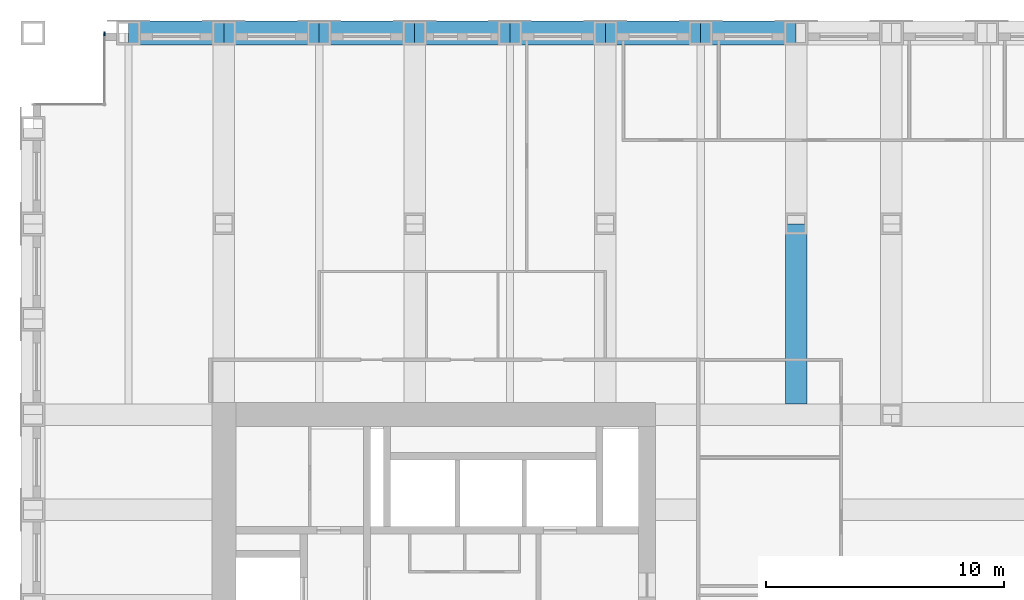
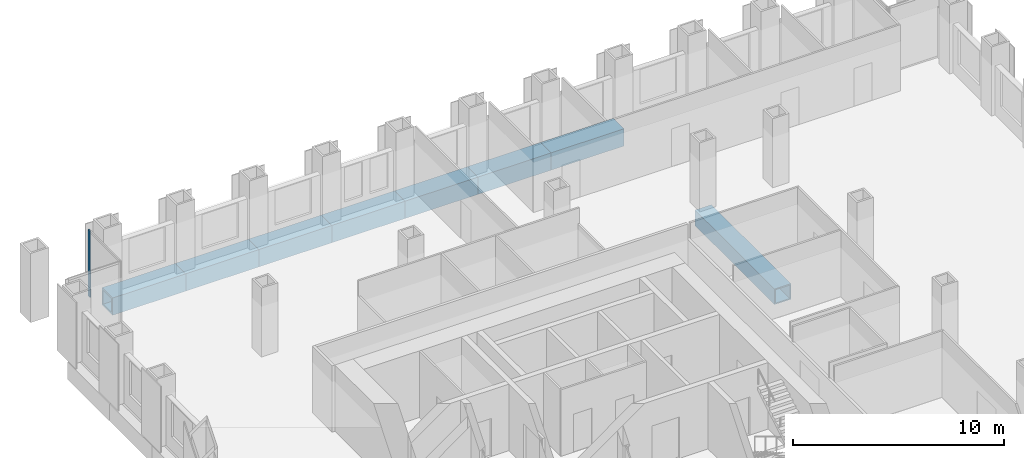
# One storey, part 8 of 15: 8 beams, 1 member, 1 element without a shape of its own.
"""IFC4 building model written with IfcOpenShell, lengths in metres."""

from ifc_helpers import new_model, si_unit, direction, frame, origin, origin_2d, place, context, subcontext, project, spatial, rectangle, hollow_rectangle, extrude, material, material_profile, profile_set, type_object, element, aggregate, save


model = new_model("IFC4")

# Units and contexts
model_context = context("Model", 3, precision=1e-05, world=origin(), true_north=direction((0.0, 1.0)))
body_context = subcontext(model_context, "Body", "Model", "MODEL_VIEW")
ifc_project = project(units=[si_unit("LENGTHUNIT", "METRE"), si_unit("AREAUNIT", "SQUARE_METRE"), si_unit("VOLUMEUNIT", "CUBIC_METRE"), si_unit("PLANEANGLEUNIT", "RADIAN"), si_unit("MASSUNIT", "GRAM", prefix="KILO")], contexts=[model_context])

# Site, building, storey
site_placement = place(None, origin())
site = spatial("IfcSite", under=ifc_project, at=site_placement, CompositionType="ELEMENT")
building_placement = place(site_placement, origin())
building = spatial("IfcBuilding", under=site, at=building_placement, Name="Rimbunsela Tower", CompositionType="ELEMENT")
storey_placement = place(building_placement, frame((0.0, 0.0, 113.39990234375)))
storey = spatial("IfcBuildingStorey", under=building, at=storey_placement, Name="L27", CompositionType="ELEMENT", Elevation=113.39990234375)

# Beams
ifc_material_1 = material(Name="Steel BJ 55 (fy 410 MPa)", Category="steel")
ifc_material_profile_1 = material_profile(ifc_material_1, hollow_rectangle(XDim=1.0, YDim=1.0, WallThickness=0.10009765625, at=origin_2d()), Name="BOX 1000x1000x100")
ifc_profile_set_1 = profile_set([ifc_material_profile_1], Name="Steel BJ 55 (fy 410 MPa)")
beam_type_1 = type_object("IfcBeamType", Name="Beam BOX 1000x1000x100", PredefinedType="BEAM", material=ifc_profile_set_1)
for number, where, z_axis, x_axis, name in (
    (1, (14.0, 52.0, -0.64990234375), (1.0, 0.0, 0.0), (0.0, 1.0, 0.0), "Beam B3 L27"),
    (2, (18.0, 52.0, -0.64990234375), (1.0, 0.0, 0.0), (0.0, 1.0, 0.0), "Beam B3 L27"),
    (3, (22.0, 52.0, -0.64990234375), (1.0, 0.0, 0.0), (0.0, 1.0, 0.0), "Beam B3 L27"),
    (4, (26.0, 52.0, -0.64990234375), (1.0, 0.0, 0.0), (0.0, 1.0, 0.0), "Beam B3 L27"),
    (5, (30.0, 52.0, -0.64990234375), (1.0, 0.0, 0.0), (0.0, 1.0, 0.0), "Beam B3 L27"),
    (6, (34.0, 52.0, -0.64990234375), (1.0, 0.0, 0.0), (0.0, 1.0, 0.0), "Beam B3 L27"),
    (7, (38.0, 52.0, -0.64990234375), (1.0, 0.0, 0.0), (0.0, 1.0, 0.0), "Beam B3 L27"),
):
    element("IfcBeam", number, at=place(storey_placement, frame(where, z_axis=z_axis, x_axis=x_axis)), inside=storey, type_object=beam_type_1, Name=name, PredefinedType="BEAM", context=body_context, shape_type="SweptSolid", body=[
        extrude(hollow_rectangle(XDim=1.0, YDim=1.0, WallThickness=0.10009765625, at=origin_2d()), origin(), (0.0, 0.0, 1.0), 4.0),
    ])
ifc_material_2 = material(Name="Steel BJ 55 (fy 410 MPa)", Category="steel")
ifc_material_profile_2 = material_profile(ifc_material_2, hollow_rectangle(XDim=0.89990234375, YDim=0.89990234375, WallThickness=0.06005859375, at=origin_2d()), Name="BOX 900x900x60")
ifc_profile_set_2 = profile_set([ifc_material_profile_2], Name="Steel BJ 55 (fy 410 MPa)")
beam_type_2 = type_object("IfcBeamType", Name="Beam BOX 900x900x60", PredefinedType="BEAM", material=ifc_profile_set_2)
beam_placement = place(storey_placement, frame((42.0, 36.449951171875, -0.599853515625), z_axis=(0.0, 1.0, 0.0), x_axis=(-1.0, 0.0, 0.0)))
element("IfcBeam", 8, at=beam_placement, inside=storey, type_object=beam_type_2, Name="Beam B1 L27", PredefinedType="BEAM", context=body_context, shape_type="SweptSolid", body=[
    extrude(hollow_rectangle(XDim=0.89990234375, YDim=0.89990234375, WallThickness=0.06005859375, at=origin_2d()), origin(), (0.0, 0.0, 1.0), 7.550048828125),
])

# Curtain wall, member
ifc_material_3 = material(Name="Aluminium curtain wall", Category="aluminium")
curtain_wall_type = type_object("IfcCurtainWallType", Name="Corner glazing", PredefinedType="USERDEFINED", material=ifc_material_3)
curtain_wall_placement = place(storey_placement, origin())
curtain_wall = element("IfcCurtainWall", 9, at=curtain_wall_placement, inside=storey, type_object=curtain_wall_type, Name="Corner glazing L27", ObjectType="CORNER GLAZING", PredefinedType="USERDEFINED")
ifc_material_4 = material(Name="Aluminium mullion", Category="aluminium")
ifc_material_profile_3 = material_profile(ifc_material_4, rectangle(XDim=0.06005859375, YDim=0.159912109375, at=origin_2d()), Name="Mullion 60x160")
ifc_profile_set_3 = profile_set([ifc_material_profile_3], Name="Aluminium mullion")
member_type = type_object("IfcMemberType", Name="Curtain wall mullion 60x160", PredefinedType="MULLION", material=ifc_profile_set_3)
member_placement = place(storey_placement, frame((13.0, 51.969970703125, 0.0), z_axis=(0.0, 0.0, 1.0), x_axis=(1.0, 0.0, 0.0)))
member = element("IfcMember", 10, at=member_placement, type_object=member_type, Name="CW5 mullion 1", PredefinedType="MULLION", context=body_context, shape_type="SweptSolid", body=[
    extrude(rectangle(XDim=0.06005859375, YDim=0.159912109375, at=origin_2d()), origin(), (0.0, 0.0, 1.0), 3.85009765625),
])
aggregate(curtain_wall, [member])

save(model, "model.ifc")
